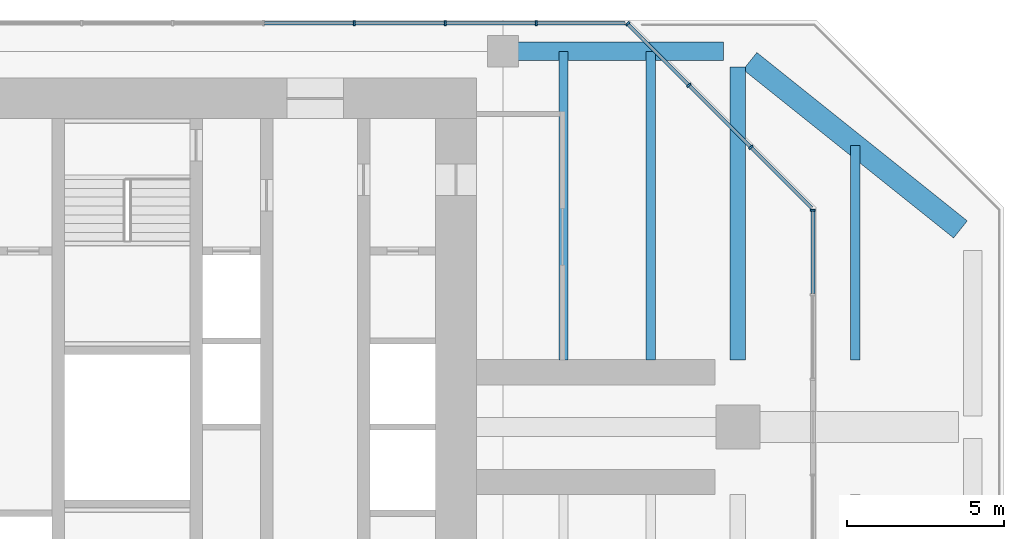
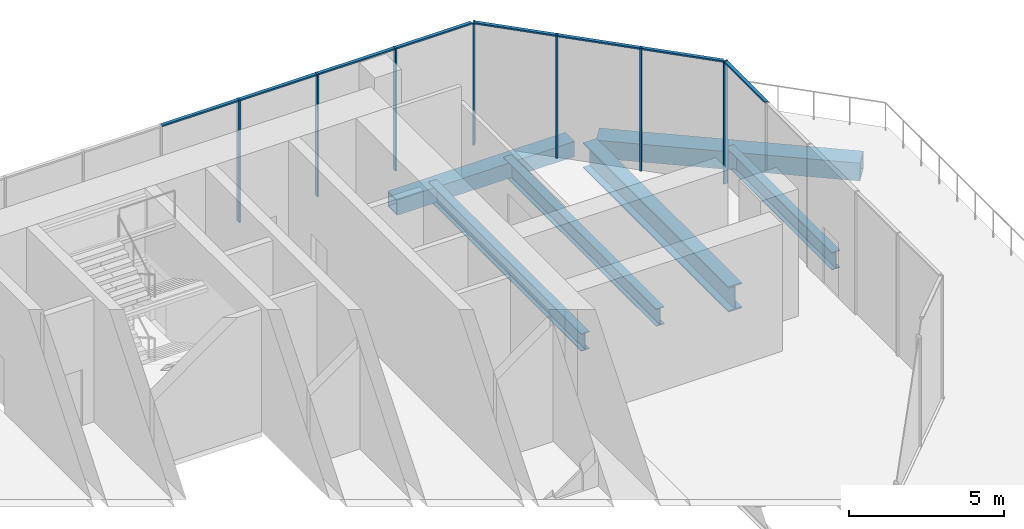
# One storey, part 7 of 13: 15 members, 6 beams, 3 elements without a shape of their own.
"""IFC4 building model written with IfcOpenShell, lengths in metres."""

from ifc_helpers import new_model, si_unit, direction, frame, origin, origin_2d, place, context, subcontext, project, spatial, rectangle, hollow_rectangle, i_section, extrude, material, material_profile, profile_set, type_object, element, aggregate, save


model = new_model("IFC4")

# Units and contexts
model_context = context("Model", 3, precision=1e-05, world=origin(), true_north=direction((0.0, 1.0)))
body_context = subcontext(model_context, "Body", "Model", "MODEL_VIEW")
ifc_project = project(units=[si_unit("LENGTHUNIT", "METRE"), si_unit("AREAUNIT", "SQUARE_METRE"), si_unit("VOLUMEUNIT", "CUBIC_METRE"), si_unit("PLANEANGLEUNIT", "RADIAN"), si_unit("MASSUNIT", "GRAM", prefix="KILO")], contexts=[model_context])

# Site, building, storey
site_placement = place(None, origin())
site = spatial("IfcSite", under=ifc_project, at=site_placement, CompositionType="ELEMENT")
building_placement = place(site_placement, origin())
building = spatial("IfcBuilding", under=site, at=building_placement, Name="Mizan Broadcast Tower", CompositionType="ELEMENT")
storey_placement = place(building_placement, frame((0.0, 0.0, 306.300048828125)))
storey = spatial("IfcBuildingStorey", under=building, at=storey_placement, Name="L73", CompositionType="ELEMENT", Elevation=306.300048828125)

# Beams
ifc_material_1 = material(Name="Steel S355", Category="steel")
ifc_material_profile_1 = material_profile(ifc_material_1, hollow_rectangle(XDim=0.60009765625, YDim=0.60009765625, WallThickness=0.0400390625, at=origin_2d()), Name="BOX 600x600x40")
ifc_profile_set_1 = profile_set([ifc_material_profile_1], Name="Steel S355")
beam_type_1 = type_object("IfcBeamType", Name="EDGE BEAM BOX 600x600x40", PredefinedType="SPANDREL", material=ifc_profile_set_1)
beam_1_placement = place(storey_placement, frame((12.449951171875, 12.0, -0.550048828125), z_axis=(1.0, 0.0, 0.0), x_axis=(0.0, 1.0, 0.0)))
element("IfcBeam", 1, at=beam_1_placement, inside=storey, type_object=beam_type_1, Name="Edge beam BOX 600x600x40 L73 east arm", PredefinedType="SPANDREL", context=body_context, shape_type="SweptSolid", body=[
    extrude(hollow_rectangle(XDim=0.60009765625, YDim=0.60009765625, WallThickness=0.0400390625, at=origin_2d()), origin(), (0.0, 0.0, 1.0), 6.60009765625),
])
ifc_material_2 = material(Name="Steel S355", Category="steel")
ifc_material_profile_2 = material_profile(ifc_material_2, hollow_rectangle(XDim=0.699951171875, YDim=0.699951171875, WallThickness=0.0400390625, at=origin_2d()), Name="BOX 700x700x40")
ifc_profile_set_2 = profile_set([ifc_material_profile_2], Name="Steel S355")
beam_type_2 = type_object("IfcBeamType", Name="EDGE BEAM BOX 700x700x40", PredefinedType="SPANDREL", material=ifc_profile_set_2)
beam_2_placement = place(storey_placement, frame((19.890380859375, 11.687744140625, -0.60009765625), z_axis=(0.780863273348, -0.62470196761, 0.0), x_axis=(0.62470196761, 0.780863273348, 0.0)))
element("IfcBeam", 2, at=beam_2_placement, inside=storey, type_object=beam_type_2, Name="Edge beam BOX 700x700x40 L73 east arm", PredefinedType="SPANDREL", context=body_context, shape_type="SweptSolid", body=[
    extrude(hollow_rectangle(XDim=0.699951171875, YDim=0.699951171875, WallThickness=0.0400390625, at=origin_2d()), origin(), (0.0, 0.0, 1.0), 8.60498046875),
])
ifc_material_3 = material(Name="Steel S460", Category="steel")
ifc_material_profile_3 = material_profile(ifc_material_3, i_section(OverallWidth=0.5, OverallDepth=1.0, WebThickness=0.02490234375, FlangeThickness=0.050048828125, at=origin_2d()), Name="WPG 1000x500")
ifc_profile_set_3 = profile_set([ifc_material_profile_3], Name="Steel S460")
beam_type_3 = type_object("IfcBeamType", Name="GIRDER WPG 1000x500", PredefinedType="BEAM", material=ifc_profile_set_3)
beam_3_placement = place(storey_placement, frame((19.5, 11.5, -0.75), z_axis=(0.0, -1.0, 0.0), x_axis=(1.0, 0.0, 0.0)))
element("IfcBeam", 3, at=beam_3_placement, inside=storey, type_object=beam_type_3, Name="Girder WPG 1000x500 L73 east arm", PredefinedType="BEAM", context=body_context, shape_type="SweptSolid", body=[
    extrude(i_section(OverallWidth=0.5, OverallDepth=1.0, WebThickness=0.02490234375, FlangeThickness=0.050048828125, at=origin_2d()), origin(), (0.0, 0.0, 1.0), 9.35009765625),
])

# Curtain wall, member
ifc_material_4 = material(Name="Aluminium framed glazing", Category="aluminium")
curtain_wall_type = type_object("IfcCurtainWallType", Name="LANTERN", PredefinedType="USERDEFINED", material=ifc_material_4)
curtain_wall_1_placement = place(storey_placement, origin())
curtain_wall_1 = element("IfcCurtainWall", 4, at=curtain_wall_1_placement, inside=storey, type_object=curtain_wall_type, Name="Lantern L73 E end", ObjectType="LANTERN", PredefinedType="USERDEFINED")
ifc_material_5 = material(Name="Aluminium, pale anodised", Category="aluminium")
ifc_material_profile_4 = material_profile(ifc_material_5, rectangle(XDim=0.159912109375, YDim=0.06005859375, at=origin_2d()), Name="MULLION 160x60")
ifc_profile_set_4 = profile_set([ifc_material_profile_4], Name="Aluminium, pale anodised")
member_type_1 = type_object("IfcMemberType", Name="INNER SKIN MULLION 60x160", PredefinedType="MULLION", material=ifc_profile_set_4)
member_1_placement = place(storey_placement, frame((21.89990234375, 6.928466796875, 0.0), z_axis=(0.0, 0.0, 1.0), x_axis=(-1.0, 0.0, 0.0)))
member_1 = element("IfcMember", 5, at=member_1_placement, type_object=member_type_1, Name="Lantern L73 E end mullion 3", PredefinedType="MULLION", context=body_context, shape_type="SweptSolid", body=[
    extrude(rectangle(XDim=0.159912109375, YDim=0.06005859375, at=origin_2d()), origin(), (0.0, 0.0, 1.0), 4.820068359375),
])

# Curtain wall, members
curtain_wall_2_placement = place(storey_placement, origin())
curtain_wall_2 = element("IfcCurtainWall", 6, at=curtain_wall_2_placement, inside=storey, type_object=curtain_wall_type, Name="Lantern L73 E chamfer", ObjectType="LANTERN", PredefinedType="USERDEFINED")
member_2_placement = place(storey_placement, frame((19.91943359375, 8.93896484375, 0.0), z_axis=(0.0, 0.0, 1.0), x_axis=(-0.707106781187, -0.707106781187, 0.0)))
member_2 = element("IfcMember", 7, at=member_2_placement, type_object=member_type_1, Name="Lantern L73 E chamfer mullion 2", PredefinedType="MULLION", context=body_context, shape_type="SweptSolid", body=[
    extrude(rectangle(XDim=0.159912109375, YDim=0.06005859375, at=origin_2d()), origin(), (0.0, 0.0, 1.0), 4.820068359375),
])
member_3_placement = place(storey_placement, frame((17.93896484375, 10.91943359375, 0.0), z_axis=(0.0, 0.0, 1.0), x_axis=(-0.707106781187, -0.707106781187, 0.0)))
member_3 = element("IfcMember", 8, at=member_3_placement, type_object=member_type_1, Name="Lantern L73 E chamfer mullion 3", PredefinedType="MULLION", context=body_context, shape_type="SweptSolid", body=[
    extrude(rectangle(XDim=0.159912109375, YDim=0.06005859375, at=origin_2d()), origin(), (0.0, 0.0, 1.0), 4.820068359375),
])
member_4_placement = place(storey_placement, frame((15.979736328125, 12.87890625, 0.0), z_axis=(0.0, 0.0, 1.0), x_axis=(-0.707106781187, -0.707106781187, 0.0)))
member_4 = element("IfcMember", 9, at=member_4_placement, type_object=member_type_1, Name="Lantern L73 E chamfer mullion 4", PredefinedType="MULLION", context=body_context, shape_type="SweptSolid", body=[
    extrude(rectangle(XDim=0.159912109375, YDim=0.06005859375, at=origin_2d()), origin(), (0.0, 0.0, 1.0), 4.820068359375),
])

curtain_wall_3_placement = place(storey_placement, origin())
curtain_wall_3 = element("IfcCurtainWall", 10, at=curtain_wall_3_placement, inside=storey, type_object=curtain_wall_type, Name="Lantern L73 N end", ObjectType="LANTERN", PredefinedType="USERDEFINED")
member_5_placement = place(storey_placement, frame((13.05712890625, 12.89990234375, 0.0), z_axis=(0.0, 0.0, 1.0), x_axis=(0.0, -1.0, 0.0)))
member_5 = element("IfcMember", 11, at=member_5_placement, type_object=member_type_1, Name="Lantern L73 N end mullion 2", PredefinedType="MULLION", context=body_context, shape_type="SweptSolid", body=[
    extrude(rectangle(XDim=0.159912109375, YDim=0.06005859375, at=origin_2d()), origin(), (0.0, 0.0, 1.0), 4.820068359375),
])
member_6_placement = place(storey_placement, frame((10.155517578125, 12.89990234375, 0.0), z_axis=(0.0, 0.0, 1.0), x_axis=(0.0, -1.0, 0.0)))
member_6 = element("IfcMember", 12, at=member_6_placement, type_object=member_type_1, Name="Lantern L73 N end mullion 3", PredefinedType="MULLION", context=body_context, shape_type="SweptSolid", body=[
    extrude(rectangle(XDim=0.159912109375, YDim=0.06005859375, at=origin_2d()), origin(), (0.0, 0.0, 1.0), 4.820068359375),
])
member_7_placement = place(storey_placement, frame((7.25390625, 12.89990234375, 0.0), z_axis=(0.0, 0.0, 1.0), x_axis=(0.0, -1.0, 0.0)))
member_7 = element("IfcMember", 13, at=member_7_placement, type_object=member_type_1, Name="Lantern L73 N end mullion 4", PredefinedType="MULLION", context=body_context, shape_type="SweptSolid", body=[
    extrude(rectangle(XDim=0.159912109375, YDim=0.06005859375, at=origin_2d()), origin(), (0.0, 0.0, 1.0), 4.820068359375),
])

# Member
ifc_material_6 = material(Name="Aluminium, pale anodised", Category="aluminium")
ifc_material_profile_5 = material_profile(ifc_material_6, rectangle(XDim=0.1201171875, YDim=0.06005859375, at=origin_2d()), Name="TRANSOM 120x60")
ifc_profile_set_5 = profile_set([ifc_material_profile_5], Name="Aluminium, pale anodised")
member_type_2 = type_object("IfcMemberType", Name="INNER SKIN TRANSOM 60x120", PredefinedType="USERDEFINED", material=ifc_profile_set_5)
member_8_placement = place(storey_placement, frame((21.89990234375, 4.25927734375, 4.7900390625), z_axis=(0.0, 1.0, 0.0), x_axis=(-1.0, 0.0, 0.0)))
member_8 = element("IfcMember", 14, at=member_8_placement, type_object=member_type_2, Name="Lantern L73 E end transom 2.1", ObjectType="TRANSOM", PredefinedType="USERDEFINED", context=body_context, shape_type="SweptSolid", body=[
    extrude(rectangle(XDim=0.1201171875, YDim=0.06005859375, at=origin_2d()), origin(), (0.0, 0.0, 1.0), 2.639404296875),
])

aggregate(curtain_wall_1, [member_1, member_8])

member_9_placement = place(storey_placement, frame((21.857666015625, 7.0009765625, 4.7900390625), z_axis=(-0.707151809797, 0.707061749709, 0.0), x_axis=(-0.707061749709, -0.707151809797, 0.0)))
member_9 = element("IfcMember", 15, at=member_9_placement, type_object=member_type_2, Name="Lantern L73 E chamfer transom 1.1", ObjectType="TRANSOM", PredefinedType="USERDEFINED", context=body_context, shape_type="SweptSolid", body=[
    extrude(rectangle(XDim=0.1201171875, YDim=0.06005859375, at=origin_2d()), origin(), (0.0, 0.0, 1.0), 2.7109375),
])

member_10_placement = place(storey_placement, frame((19.898193359375, 8.960205078125, 4.7900390625), z_axis=(-0.707106781187, 0.707106781187, 0.0), x_axis=(-0.707106781187, -0.707106781187, 0.0)))
member_10 = element("IfcMember", 16, at=member_10_placement, type_object=member_type_2, Name="Lantern L73 E chamfer transom 2.1", ObjectType="TRANSOM", PredefinedType="USERDEFINED", context=body_context, shape_type="SweptSolid", body=[
    extrude(rectangle(XDim=0.1201171875, YDim=0.06005859375, at=origin_2d()), origin(), (0.0, 0.0, 1.0), 2.74072265625),
])

member_11_placement = place(storey_placement, frame((17.917724609375, 10.940673828125, 4.7900390625), z_axis=(-0.707061749709, 0.707151809797, 0.0), x_axis=(-0.707151809797, -0.707061749709, 0.0)))
member_11 = element("IfcMember", 17, at=member_11_placement, type_object=member_type_2, Name="Lantern L73 E chamfer transom 3.1", ObjectType="TRANSOM", PredefinedType="USERDEFINED", context=body_context, shape_type="SweptSolid", body=[
    extrude(rectangle(XDim=0.1201171875, YDim=0.06005859375, at=origin_2d()), origin(), (0.0, 0.0, 1.0), 2.7109375),
])

aggregate(curtain_wall_2, [member_2, member_3, member_4, member_9, member_10, member_11])

member_12_placement = place(storey_placement, frame((15.898681640625, 12.89990234375, 4.7900390625), z_axis=(-1.0, 0.0, 0.0), x_axis=(0.0, -1.0, 0.0)))
member_12 = element("IfcMember", 18, at=member_12_placement, type_object=member_type_2, Name="Lantern L73 N end transom 1.1", ObjectType="TRANSOM", PredefinedType="USERDEFINED", context=body_context, shape_type="SweptSolid", body=[
    extrude(rectangle(XDim=0.1201171875, YDim=0.06005859375, at=origin_2d()), origin(), (0.0, 0.0, 1.0), 2.811767578125),
])

member_13_placement = place(storey_placement, frame((13.027099609375, 12.89990234375, 4.7900390625), z_axis=(-1.0, 0.0, 0.0), x_axis=(0.0, -1.0, 0.0)))
member_13 = element("IfcMember", 19, at=member_13_placement, type_object=member_type_2, Name="Lantern L73 N end transom 2.1", ObjectType="TRANSOM", PredefinedType="USERDEFINED", context=body_context, shape_type="SweptSolid", body=[
    extrude(rectangle(XDim=0.1201171875, YDim=0.06005859375, at=origin_2d()), origin(), (0.0, 0.0, 1.0), 2.841552734375),
])

member_14_placement = place(storey_placement, frame((10.12548828125, 12.89990234375, 4.7900390625), z_axis=(-1.0, 0.0, 0.0), x_axis=(0.0, -1.0, 0.0)))
member_14 = element("IfcMember", 20, at=member_14_placement, type_object=member_type_2, Name="Lantern L73 N end transom 3.1", ObjectType="TRANSOM", PredefinedType="USERDEFINED", context=body_context, shape_type="SweptSolid", body=[
    extrude(rectangle(XDim=0.1201171875, YDim=0.06005859375, at=origin_2d()), origin(), (0.0, 0.0, 1.0), 2.841552734375),
])

member_15_placement = place(storey_placement, frame((7.223876953125, 12.89990234375, 4.7900390625), z_axis=(-1.0, 0.0, 0.0), x_axis=(0.0, -1.0, 0.0)))
member_15 = element("IfcMember", 21, at=member_15_placement, type_object=member_type_2, Name="Lantern L73 N end transom 4.1", ObjectType="TRANSOM", PredefinedType="USERDEFINED", context=body_context, shape_type="SweptSolid", body=[
    extrude(rectangle(XDim=0.1201171875, YDim=0.06005859375, at=origin_2d()), origin(), (0.0, 0.0, 1.0), 2.841552734375),
])

aggregate(curtain_wall_3, [member_5, member_6, member_7, member_12, member_13, member_14, member_15])

# Beams
ifc_material_7 = material(Name="Steel S355", Category="steel")
ifc_material_profile_6 = material_profile(ifc_material_7, i_section(OverallWidth=0.300048828125, OverallDepth=0.68994140625, WebThickness=0.014404296875, FlangeThickness=0.027099609375, FilletRadius=0.027099609375, at=origin_2d()), Name="HEA 700")
ifc_profile_set_6 = profile_set([ifc_material_profile_6], Name="Steel S355")
beam_type_4 = type_object("IfcBeamType", Name="SECONDARY BEAM HEA 700", PredefinedType="JOIST", material=ifc_profile_set_6)
for number, where, z_axis, x_axis, name in (
    (22, (13.933349609375, 12.0, -0.525146484375), (0.0, -1.0, 0.0), (1.0, 0.0, 0.0), "Secondary beam HEA 700 L73 east arm"),
    (23, (16.716552734375, 12.0, -0.525146484375), (0.0, -1.0, 0.0), (1.0, 0.0, 0.0), "Secondary beam HEA 700 L73 east arm"),
):
    element("IfcBeam", number, at=place(storey_placement, frame(where, z_axis=z_axis, x_axis=x_axis)), inside=storey, type_object=beam_type_4, Name=name, PredefinedType="JOIST", context=body_context, shape_type="SweptSolid", body=[
        extrude(i_section(OverallWidth=0.300048828125, OverallDepth=0.68994140625, WebThickness=0.014404296875, FlangeThickness=0.027099609375, FilletRadius=0.027099609375, at=origin_2d()), origin(), (0.0, 0.0, 1.0), 9.85009765625),
    ])
beam_4_placement = place(storey_placement, frame((23.25, 9.0, -0.594970703125), z_axis=(0.0, -1.0, 0.0), x_axis=(1.0, 0.0, 0.0)))
element("IfcBeam", 24, at=beam_4_placement, inside=storey, type_object=beam_type_4, Name="Secondary beam HEA 700 L73 east arm", PredefinedType="JOIST", context=body_context, shape_type="SweptSolid", body=[
    extrude(i_section(OverallWidth=0.300048828125, OverallDepth=0.68994140625, WebThickness=0.014404296875, FlangeThickness=0.027099609375, FilletRadius=0.027099609375, at=origin_2d()), origin(), (0.0, 0.0, 1.0), 6.85009765625),
])

save(model, "model.ifc")
